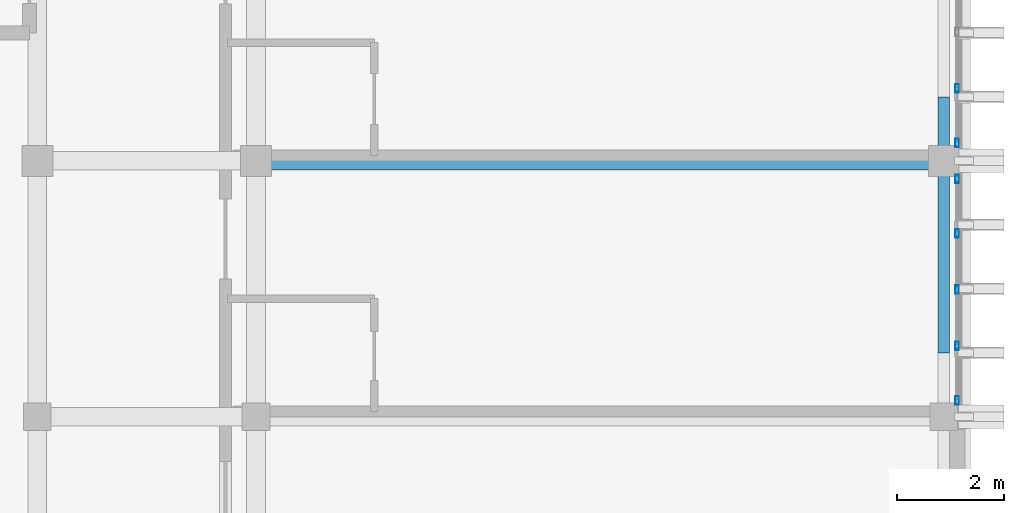
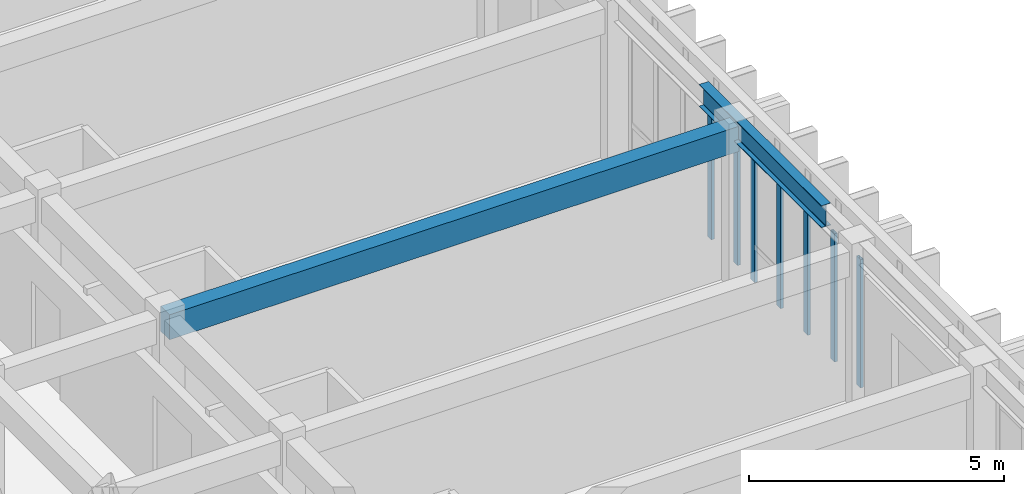
# One storey, part 15 of 49: 7 members, 2 beams, 2 elements without a shape of their own.
"""IFC4 building model written with IfcOpenShell, lengths in metres."""

from ifc_helpers import new_model, si_unit, direction, frame, origin, origin_2d, place, context, subcontext, project, spatial, rectangle, hollow_rectangle, i_section, extrude, material, layer, layer_set, material_profile, profile_set, type_object, element, aggregate, save


model = new_model("IFC4")

# Units and contexts
model_context = context("Model", 3, precision=1e-05, world=origin(), true_north=direction((0.0, 1.0)))
body_context = subcontext(model_context, "Body", "Model", "MODEL_VIEW")
ifc_project = project(units=[si_unit("LENGTHUNIT", "METRE"), si_unit("AREAUNIT", "SQUARE_METRE"), si_unit("VOLUMEUNIT", "CUBIC_METRE"), si_unit("PLANEANGLEUNIT", "RADIAN"), si_unit("MASSUNIT", "GRAM", prefix="KILO")], contexts=[model_context])

# Site, building, storey
site_placement = place(None, origin())
site = spatial("IfcSite", under=ifc_project, at=site_placement, CompositionType="ELEMENT")
building_placement = place(site_placement, origin())
building = spatial("IfcBuilding", under=site, at=building_placement, Name="Nakhvara Creek Congress Hotel", CompositionType="ELEMENT")
storey_placement = place(building_placement, frame((0.0, 0.0, 46.5)))
storey = spatial("IfcBuildingStorey", under=building, at=storey_placement, Name="L11", CompositionType="ELEMENT", Elevation=46.5)

# Beams
ifc_material_1 = material(Name="Concrete C40/50", Category="concrete")
ifc_material_profile_1 = material_profile(ifc_material_1, rectangle(XDim=0.35009765625, YDim=0.60009765625, at=origin_2d()), Name="RC-BM 350x600", Category="LoadBearing")
ifc_profile_set_1 = profile_set([ifc_material_profile_1], Name="Concrete C40/50")
beam_type_1 = type_object("IfcBeamType", Name="BM-RC-350X600", PredefinedType="BEAM", material=ifc_profile_set_1)
beam_1_placement = place(storey_placement, frame((166.449951171875, 86.39990234375, 3.3798828125), z_axis=(1.0, 0.0, 0.0), x_axis=(0.0, 1.0, 0.0)))
element("IfcBeam", 1, at=beam_1_placement, inside=storey, type_object=beam_type_1, Name="Beam B07-L11-2750", PredefinedType="BEAM", context=body_context, shape_type="SweptSolid", body=[
    extrude(rectangle(XDim=0.35009765625, YDim=0.60009765625, at=origin_2d()), origin(), (0.0, 0.0, 1.0), 12.900146484375),
])
ifc_material_2 = material(Name="Steel S355J2", Category="steel")
ifc_material_profile_2 = material_profile(ifc_material_2, i_section(OverallWidth=0.209228515625, OverallDepth=0.533203125, WebThickness=0.010009765625, FlangeThickness=0.015625, FilletRadius=0.0126953125, at=origin_2d()), Name="UB 533x210x92", Category="LoadBearing")
ifc_profile_set_2 = profile_set([ifc_material_profile_2], Name="Steel S355J2")
beam_type_2 = type_object("IfcBeamType", Name="BM-ST-UB533", PredefinedType="BEAM", material=ifc_profile_set_2)
beam_2_placement = place(storey_placement, frame((179.35009765625, 82.800048828125, 3.6201171875), z_axis=(0.0, 1.0, 0.0), x_axis=(-1.0, 0.0, 0.0)))
element("IfcBeam", 2, at=beam_2_placement, inside=storey, type_object=beam_type_2, Name="Hotel Gable Eave Beam E-03", PredefinedType="BEAM", context=body_context, shape_type="SweptSolid", body=[
    extrude(i_section(OverallWidth=0.209228515625, OverallDepth=0.533203125, WebThickness=0.010009765625, FlangeThickness=0.015625, FilletRadius=0.0126953125, at=origin_2d()), origin(), (0.0, 0.0, 1.0), 4.800048828125),
])

# Curtain wall, members
ifc_material_3 = material(Name="Bronze-anodised aluminium AW-6063-T6 and double-silver low-E glass", Category="aluminium")
ifc_layer = layer(ifc_material_3, 0.199951171875)
ifc_layer_set = layer_set([ifc_layer], Name="Bronze-anodised aluminium AW-6063-T6 and double-silver low-E glass")
curtain_wall_type = type_object("IfcCurtainWallType", Name="CW-HTL-UNIT", PredefinedType="USERDEFINED", material=ifc_layer_set)
curtain_wall_1_placement = place(storey_placement, origin())
curtain_wall_1 = element("IfcCurtainWall", 3, at=curtain_wall_1_placement, inside=storey, type_object=curtain_wall_type, Name="Curtain Wall CW336", ObjectType="UNITISED", PredefinedType="USERDEFINED")
ifc_material_4 = material(Name="Bronze-anodised aluminium AW-6063-T6", Category="aluminium")
ifc_material_profile_3 = material_profile(ifc_material_4, hollow_rectangle(XDim=0.06494140625, YDim=0.159912109375, WallThickness=0.00390625, at=origin_2d()), Name="ALU-MULL 65x160x4", Category="LoadBearing")
ifc_profile_set_3 = profile_set([ifc_material_profile_3], Name="Bronze-anodised aluminium AW-6063-T6")
member_type = type_object("IfcMemberType", Name="CW-MULL-160", PredefinedType="MULLION", material=ifc_profile_set_3)
member_1_placement = place(storey_placement, frame((179.60009765625, 86.0625, 0.0), z_axis=(0.0, 0.0, 1.0), x_axis=(1.0, 0.0, 0.0)))
member_1 = element("IfcMember", 4, at=member_1_placement, type_object=member_type, Name="CW336 mullion 1", PredefinedType="MULLION", context=body_context, shape_type="SweptSolid", body=[
    extrude(hollow_rectangle(XDim=0.06494140625, YDim=0.159912109375, WallThickness=0.00390625, at=origin_2d()), origin(), (0.0, 0.0, 1.0), 3.072021484375),
])
member_2_placement = place(storey_placement, frame((179.60009765625, 85.0400390625, 0.0), z_axis=(0.0, 0.0, 1.0), x_axis=(1.0, 0.0, 0.0)))
member_2 = element("IfcMember", 5, at=member_2_placement, type_object=member_type, Name="CW336 mullion 2", PredefinedType="MULLION", context=body_context, shape_type="SweptSolid", body=[
    extrude(hollow_rectangle(XDim=0.06494140625, YDim=0.159912109375, WallThickness=0.00390625, at=origin_2d()), origin(), (0.0, 0.0, 1.0), 3.072021484375),
])
member_3_placement = place(storey_placement, frame((179.60009765625, 83.985107421875, 0.0), z_axis=(0.0, 0.0, 1.0), x_axis=(1.0, 0.0, 0.0)))
member_3 = element("IfcMember", 6, at=member_3_placement, type_object=member_type, Name="CW336 mullion 3", PredefinedType="MULLION", context=body_context, shape_type="SweptSolid", body=[
    extrude(hollow_rectangle(XDim=0.06494140625, YDim=0.159912109375, WallThickness=0.00390625, at=origin_2d()), origin(), (0.0, 0.0, 1.0), 3.072021484375),
])
member_4_placement = place(storey_placement, frame((179.60009765625, 82.929931640625, 0.0), z_axis=(0.0, 0.0, 1.0), x_axis=(1.0, 0.0, 0.0)))
member_4 = element("IfcMember", 7, at=member_4_placement, type_object=member_type, Name="CW336 mullion 4", PredefinedType="MULLION", context=body_context, shape_type="SweptSolid", body=[
    extrude(hollow_rectangle(XDim=0.06494140625, YDim=0.159912109375, WallThickness=0.00390625, at=origin_2d()), origin(), (0.0, 0.0, 1.0), 3.072021484375),
])
member_5_placement = place(storey_placement, frame((179.60009765625, 81.907470703125, 0.0), z_axis=(0.0, 0.0, 1.0), x_axis=(1.0, 0.0, 0.0)))
member_5 = element("IfcMember", 8, at=member_5_placement, type_object=member_type, Name="CW336 mullion 5", PredefinedType="MULLION", context=body_context, shape_type="SweptSolid", body=[
    extrude(hollow_rectangle(XDim=0.06494140625, YDim=0.159912109375, WallThickness=0.00390625, at=origin_2d()), origin(), (0.0, 0.0, 1.0), 3.072021484375),
])
aggregate(curtain_wall_1, [member_1, member_2, member_3, member_4, member_5])

curtain_wall_2_placement = place(storey_placement, origin())
curtain_wall_2 = element("IfcCurtainWall", 9, at=curtain_wall_2_placement, inside=storey, type_object=curtain_wall_type, Name="Curtain Wall CW338", ObjectType="UNITISED", PredefinedType="USERDEFINED")
member_6_placement = place(storey_placement, frame((179.60009765625, 87.760009765625, 0.0), z_axis=(0.0, 0.0, 1.0), x_axis=(1.0, 0.0, 0.0)))
member_6 = element("IfcMember", 10, at=member_6_placement, type_object=member_type, Name="CW338 mullion 4", PredefinedType="MULLION", context=body_context, shape_type="SweptSolid", body=[
    extrude(hollow_rectangle(XDim=0.06494140625, YDim=0.159912109375, WallThickness=0.00390625, at=origin_2d()), origin(), (0.0, 0.0, 1.0), 3.072021484375),
])
member_7_placement = place(storey_placement, frame((179.60009765625, 86.737548828125, 0.0), z_axis=(0.0, 0.0, 1.0), x_axis=(1.0, 0.0, 0.0)))
member_7 = element("IfcMember", 11, at=member_7_placement, type_object=member_type, Name="CW338 mullion 5", PredefinedType="MULLION", context=body_context, shape_type="SweptSolid", body=[
    extrude(hollow_rectangle(XDim=0.06494140625, YDim=0.159912109375, WallThickness=0.00390625, at=origin_2d()), origin(), (0.0, 0.0, 1.0), 3.072021484375),
])
aggregate(curtain_wall_2, [member_6, member_7])

save(model, "model.ifc")
